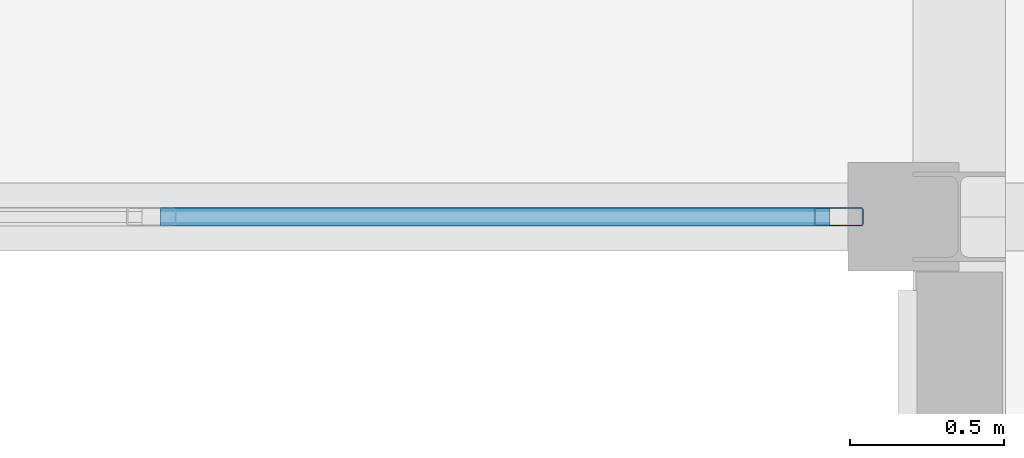
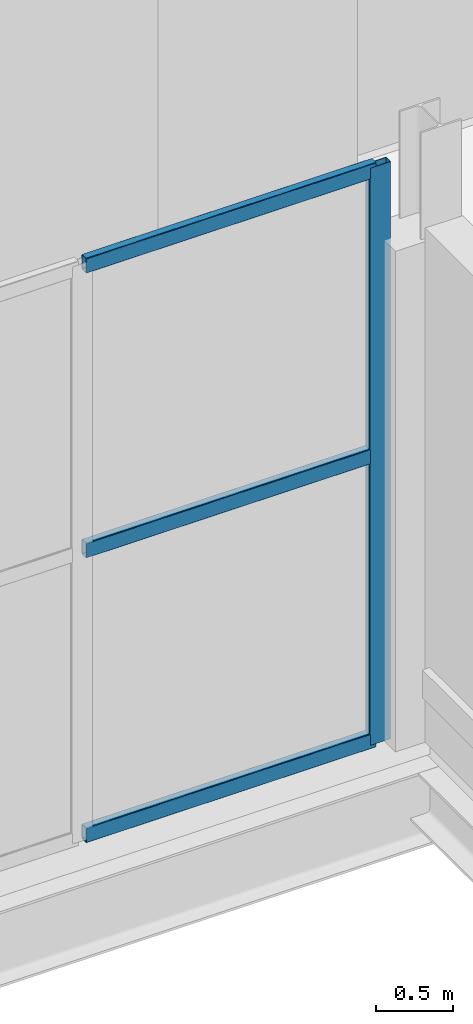
# One storey, part 67 of 120: 4 members, 1 element without a shape of its own.
"""IFC4 building model written with IfcOpenShell, lengths in metres."""

from ifc_helpers import new_model, si_unit, direction, frame, origin, origin_2d, place, context, subcontext, project, spatial, hollow_rectangle, extrude, material, layer, layer_set, material_profile, profile_set, type_object, element, aggregate, save


model = new_model("IFC4")

# Units and contexts
model_context = context("Model", 3, precision=1e-05, world=origin(), true_north=direction((0.0, 1.0)))
body_context = subcontext(model_context, "Body", "Model", "MODEL_VIEW")
ifc_project = project(units=[si_unit("LENGTHUNIT", "METRE"), si_unit("AREAUNIT", "SQUARE_METRE"), si_unit("VOLUMEUNIT", "CUBIC_METRE"), si_unit("PLANEANGLEUNIT", "RADIAN"), si_unit("MASSUNIT", "GRAM", prefix="KILO")], contexts=[model_context])

# Site, building, storey
site_placement = place(None, origin())
site = spatial("IfcSite", under=ifc_project, at=site_placement, CompositionType="ELEMENT")
building_placement = place(site_placement, origin())
building = spatial("IfcBuilding", under=site, at=building_placement, Name="Vekula Escarpment Museum", CompositionType="ELEMENT")
storey_placement = place(building_placement, frame((0.0, 0.0, 13.199951171875)))
storey = spatial("IfcBuildingStorey", under=building, at=storey_placement, Name="L03", CompositionType="ELEMENT", Elevation=13.199951171875)

# Curtain wall, members
ifc_material_1 = material(Name="Aluminium thermally broken framing", Category="aluminium")
ifc_layer = layer(ifc_material_1, 0.199951171875)
ifc_layer_set = layer_set([ifc_layer], Name="Aluminium thermally broken framing")
curtain_wall_type = type_object("IfcCurtainWallType", Name="CW-SYS-04", PredefinedType="NOTDEFINED", material=ifc_layer_set)
curtain_wall_placement = place(storey_placement, origin())
curtain_wall = element("IfcCurtainWall", 1, at=curtain_wall_placement, inside=storey, type_object=curtain_wall_type, Name="Curtain Wall CW-L03-114", PredefinedType="NOTDEFINED")
ifc_material_2 = material(Name="Aluminium anodized mullion", Category="aluminium")
ifc_material_profile_1 = material_profile(ifc_material_2, hollow_rectangle(XDim=0.06005859375, YDim=0.159912109375, WallThickness=0.00390625, InnerFilletRadius=0.00390625, OuterFilletRadius=0.008056640625, at=origin_2d()), Name="ALU 160x60x4")
ifc_profile_set_1 = profile_set([ifc_material_profile_1], Name="Aluminium anodized mullion")
member_type_1 = type_object("IfcMemberType", Name="CW-MUL-160", PredefinedType="MULLION", material=ifc_profile_set_1)
member_1_placement = place(storey_placement, frame((166.610107421875, 68.0, 0.0), z_axis=(0.0, 0.0, 1.0), x_axis=(0.0, 1.0, 0.0)))
member_1 = element("IfcMember", 2, at=member_1_placement, type_object=member_type_1, Name="CW-04 mullion 6", PredefinedType="MULLION", context=body_context, shape_type="SweptSolid", body=[
    extrude(hollow_rectangle(XDim=0.06005859375, YDim=0.159912109375, WallThickness=0.00390625, InnerFilletRadius=0.00390625, OuterFilletRadius=0.008056640625, at=origin_2d()), origin(), (0.0, 0.0, 1.0), 4.56005859375),
])
ifc_material_3 = material(Name="Aluminium anodized transom", Category="aluminium")
ifc_material_profile_2 = material_profile(ifc_material_3, hollow_rectangle(XDim=0.06005859375, YDim=0.1201171875, WallThickness=0.00390625, InnerFilletRadius=0.00390625, OuterFilletRadius=0.008056640625, at=origin_2d()), Name="ALU 120x60x4")
ifc_profile_set_2 = profile_set([ifc_material_profile_2], Name="Aluminium anodized transom")
member_type_2 = type_object("IfcMemberType", Name="CW-TRN-120", PredefinedType="USERDEFINED", material=ifc_profile_set_2)
member_2_placement = place(storey_placement, frame((164.4140625, 68.0, 0.030029296875), z_axis=(1.0, 0.0, 0.0), x_axis=(0.0, 1.0, 0.0)))
member_2 = element("IfcMember", 3, at=member_2_placement, type_object=member_type_2, Name="CW-04 transom 5.1", ObjectType="TRANSOM", PredefinedType="USERDEFINED", context=body_context, shape_type="SweptSolid", body=[
    extrude(hollow_rectangle(XDim=0.06005859375, YDim=0.1201171875, WallThickness=0.00390625, InnerFilletRadius=0.00390625, OuterFilletRadius=0.008056640625, at=origin_2d()), origin(), (0.0, 0.0, 1.0), 2.166015625),
])
member_3_placement = place(storey_placement, frame((164.4140625, 68.0, 2.280029296875), z_axis=(1.0, 0.0, 0.0), x_axis=(0.0, 1.0, 0.0)))
member_3 = element("IfcMember", 4, at=member_3_placement, type_object=member_type_2, Name="CW-04 transom 5.2", ObjectType="TRANSOM", PredefinedType="USERDEFINED", context=body_context, shape_type="SweptSolid", body=[
    extrude(hollow_rectangle(XDim=0.06005859375, YDim=0.1201171875, WallThickness=0.00390625, InnerFilletRadius=0.00390625, OuterFilletRadius=0.008056640625, at=origin_2d()), origin(), (0.0, 0.0, 1.0), 2.166015625),
])
member_4_placement = place(storey_placement, frame((164.4140625, 68.0, 4.530029296875), z_axis=(1.0, 0.0, 0.0), x_axis=(0.0, 1.0, 0.0)))
member_4 = element("IfcMember", 5, at=member_4_placement, type_object=member_type_2, Name="CW-04 transom 5.3", ObjectType="TRANSOM", PredefinedType="USERDEFINED", context=body_context, shape_type="SweptSolid", body=[
    extrude(hollow_rectangle(XDim=0.06005859375, YDim=0.1201171875, WallThickness=0.00390625, InnerFilletRadius=0.00390625, OuterFilletRadius=0.008056640625, at=origin_2d()), origin(), (0.0, 0.0, 1.0), 2.166015625),
])
aggregate(curtain_wall, [member_1, member_2, member_3, member_4])

save(model, "model.ifc")
